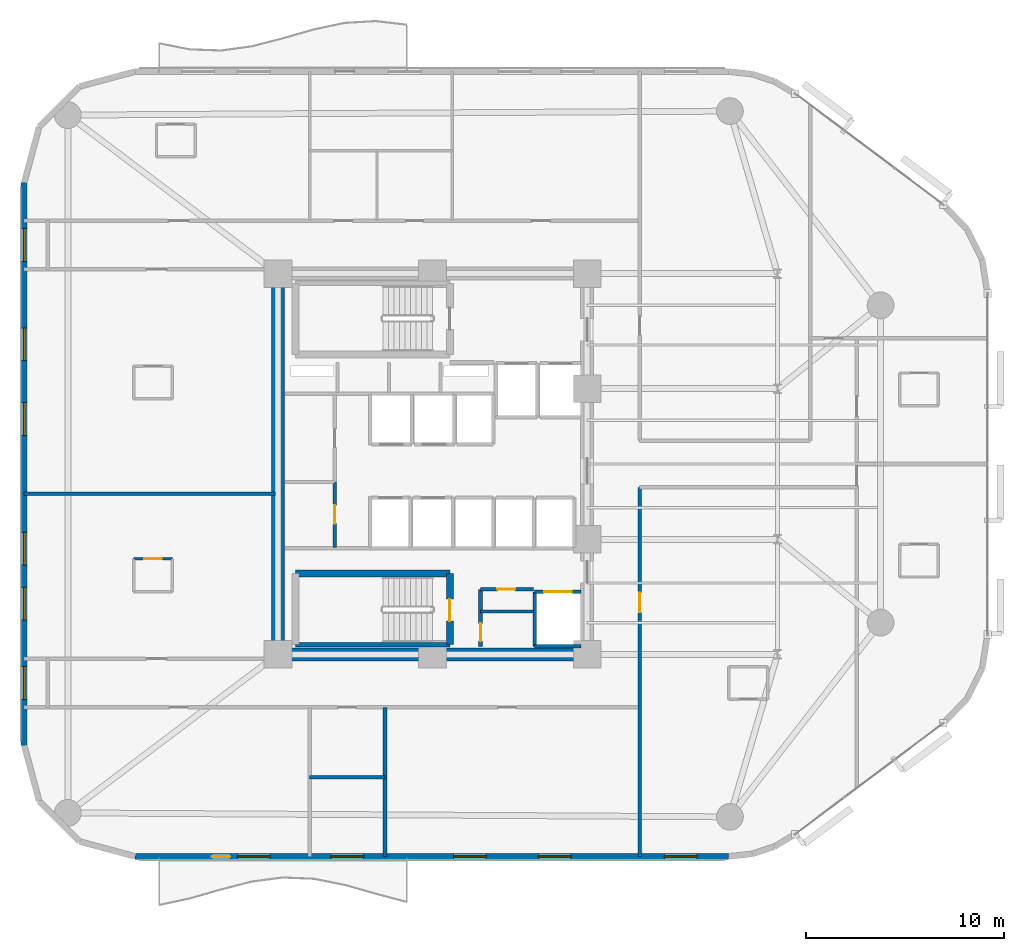
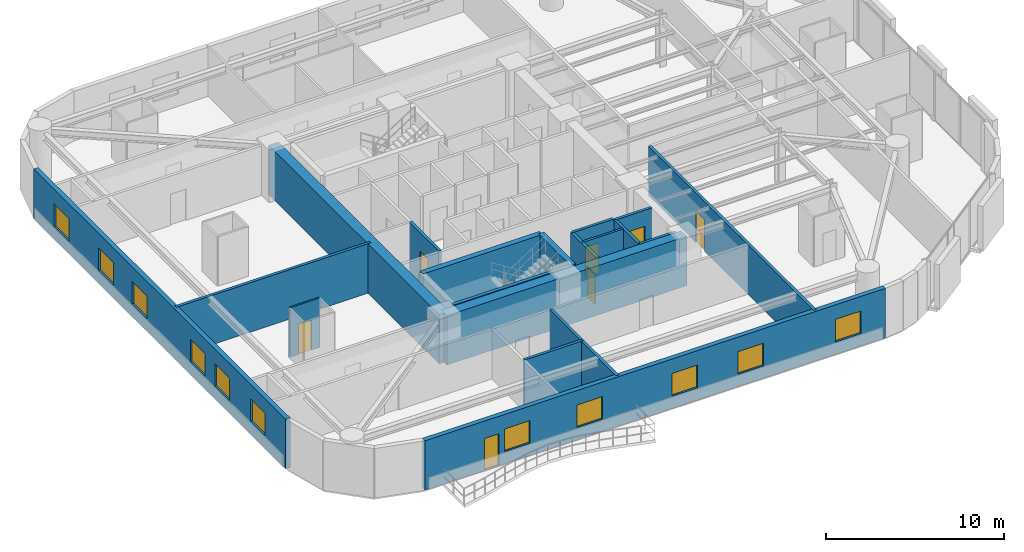
# One storey, part 10 of 16: 19 walls, 11 windows, 8 doors, 19 openings.
"""IFC4 building model written with IfcOpenShell, lengths in metres."""

from ifc_helpers import new_model, si_unit, direction, frame, frame_2d, origin, place, context, subcontext, project, spatial, rectangle, extrude, material, layer, layer_set, type_object, element, fill, save


model = new_model("IFC4")

# Units and contexts
model_context = context("Model", 3, precision=1e-05, world=origin(), true_north=direction((0.0, 1.0)))
body_context = subcontext(model_context, "Body", "Model", "MODEL_VIEW")
ifc_project = project(units=[si_unit("LENGTHUNIT", "METRE"), si_unit("AREAUNIT", "SQUARE_METRE"), si_unit("VOLUMEUNIT", "CUBIC_METRE"), si_unit("PLANEANGLEUNIT", "RADIAN"), si_unit("MASSUNIT", "GRAM", prefix="KILO")], contexts=[model_context])

# Site, building, storey
site_placement = place(None, origin())
site = spatial("IfcSite", under=ifc_project, at=site_placement, CompositionType="ELEMENT")
building_placement = place(site_placement, origin())
building = spatial("IfcBuilding", under=site, at=building_placement, Name="An Khanh Terracotta Commons", CompositionType="ELEMENT")
storey_placement = place(building_placement, frame((0.0, 0.0, 100.699951171875)))
storey = spatial("IfcBuildingStorey", under=building, at=storey_placement, Name="L26", CompositionType="ELEMENT", Elevation=100.699951171875)

# Walls
ifc_material_1 = material(Name="Concrete C60/75", Category="concrete")
ifc_layer_1 = layer(ifc_material_1, 0.64990234375, Name="Concrete C60/75")
ifc_layer_set_1 = layer_set([ifc_layer_1], Name="Concrete C60/75")
wall_type_1 = type_object("IfcWallType", Name="WALL-CORE-650", PredefinedType="SHEAR", material=ifc_layer_set_1)
wall_1_placement = place(storey_placement, frame((21.60009765625, 14.39990234375, 0.0), z_axis=(0.0, 0.0, 1.0), x_axis=(0.0, 1.0, 0.0)))
element("IfcWall", 1, at=wall_1_placement, inside=storey, type_object=wall_type_1, Name="L26 Core Wall CWALL-L26-W", PredefinedType="SHEAR", context=body_context, shape_type="SweptSolid", body=[
    extrude(rectangle(XDim=19.2001953125, YDim=0.64990234375, at=frame_2d((9.60009765625, 0.0))), origin(), (0.0, 0.0, 1.0), 3.400146484375),
])
wall_2_placement = place(storey_placement, frame((37.199951171875, 14.39990234375, 0.0), z_axis=(0.0, 0.0, 1.0), x_axis=(-1.0, 0.0, 0.0)))
element("IfcWall", 2, at=wall_2_placement, inside=storey, type_object=wall_type_1, Name="L26 Core Wall CWALL-L26-S", PredefinedType="SHEAR", context=body_context, shape_type="SweptSolid", body=[
    extrude(rectangle(XDim=15.599853515625, YDim=0.64990234375, at=frame_2d((7.7998046875, 0.0))), origin(), (0.0, 0.0, 1.0), 3.400146484375),
])

# Wall, opening, door
ifc_material_2 = material(Name="Fire-Rated Gypsum Board on Steel Stud", Category="steel")
ifc_layer_2 = layer(ifc_material_2, 0.179931640625, Name="Fire-Rated Gypsum Board on Steel Stud")
ifc_layer_set_2 = layer_set([ifc_layer_2], Name="Fire-Rated Gypsum Board on Steel Stud")
wall_type_2 = type_object("IfcWallType", Name="WALL-CORR-180", PredefinedType="PARTITIONING", material=ifc_layer_set_2)
wall_3_placement = place(storey_placement, frame((31.820068359375, 17.679931640625, 0.0), z_axis=(0.0, 0.0, 1.0), x_axis=(1.0, 0.0, 0.0)))
wall_3 = element("IfcWall", 3, at=wall_3_placement, inside=storey, type_object=wall_type_2, Name="L26 Core Wall SSVCW-L26-N", PredefinedType="PARTITIONING", context=body_context, shape_type="SweptSolid", body=[
    extrude(rectangle(XDim=2.659912109375, YDim=0.179931640625, at=frame_2d((1.330078125, 0.0))), origin(), (0.0, 0.0, 1.0), 3.400146484375),
])
opening_1_placement = place(wall_3_placement, frame((0.85009765625, 0.0, 0.0)))
opening_1 = element("IfcOpeningElement", 4, at=opening_1_placement, cuts=wall_3, Name="Opening D-SV", PredefinedType="OPENING", context=body_context, shape_type="SweptSolid", body=[
    extrude(rectangle(XDim=0.89990234375, YDim=2.050048828125, at=frame_2d((0.449951171875, 1.02490234375))), frame((0.0, 0.099853515625, 0.0), z_axis=(0.0, -1.0, 0.0), x_axis=(1.0, 0.0, 0.0)), (0.0, 0.0, 1.0), 0.199951171875),
])
ifc_material_3 = material(Name="Fire-Rated Powder-Coated Steel Door", Category="steel")
door_type_1 = type_object("IfcDoorType", Name="DOOR-SERV-900", OperationType="NOTDEFINED", PredefinedType="DOOR", material=ifc_material_3)
door_1_placement = place(opening_1_placement, origin())
door_1 = element("IfcDoor", 5, at=door_1_placement, inside=storey, type_object=door_type_1, Name="L26 Core Cleaner Store Door", OperationType="SINGLE_SWING_RIGHT", OverallHeight=2.050048828125, OverallWidth=0.89990234375, PredefinedType="DOOR", context=body_context, shape_type="SweptSolid", body=[
    extrude(rectangle(XDim=0.89990234375, YDim=2.050048828125, at=frame_2d((0.449951171875, 1.02490234375))), frame((0.0, 0.02490234375, 0.0), z_axis=(0.0, -1.0, 0.0), x_axis=(1.0, 0.0, 0.0)), (0.0, 0.0, 1.0), 0.050048828125),
])
fill(opening_1, door_1)

wall_4_placement = place(storey_placement, frame((31.820068359375, 14.800048828125, 0.0), z_axis=(0.0, 0.0, 1.0), x_axis=(0.0, 1.0, 0.0)))
wall_4 = element("IfcWall", 6, at=wall_4_placement, inside=storey, type_object=wall_type_2, Name="L26 Core Wall SSVCW-L26-W", PredefinedType="PARTITIONING", context=body_context, shape_type="SweptSolid", body=[
    extrude(rectangle(XDim=2.8798828125, YDim=0.179931640625, at=frame_2d((1.43994140625, 0.0))), origin(), (0.0, 0.0, 1.0), 3.400146484375),
])
opening_2_placement = place(wall_4_placement, frame((0.260009765625, 0.0, 0.0)))
opening_2 = element("IfcOpeningElement", 7, at=opening_2_placement, cuts=wall_4, Name="Opening D-SV", PredefinedType="OPENING", context=body_context, shape_type="SweptSolid", body=[
    extrude(rectangle(XDim=0.89990234375, YDim=2.050048828125, at=frame_2d((0.449951171875, 1.02490234375))), frame((0.0, 0.099853515625, 0.0), z_axis=(0.0, -1.0, 0.0), x_axis=(1.0, 0.0, 0.0)), (0.0, 0.0, 1.0), 0.199951171875),
])
door_2_placement = place(opening_2_placement, origin())
door_2 = element("IfcDoor", 8, at=door_2_placement, inside=storey, type_object=door_type_1, Name="L26 Telecoms BMS Cupboard Door", OperationType="SINGLE_SWING_LEFT", OverallHeight=2.050048828125, OverallWidth=0.89990234375, PredefinedType="DOOR", context=body_context, shape_type="SweptSolid", body=[
    extrude(rectangle(XDim=0.89990234375, YDim=2.050048828125, at=frame_2d((0.449951171875, 1.02490234375))), frame((0.0, 0.02490234375, 0.0), z_axis=(0.0, -1.0, 0.0), x_axis=(1.0, 0.0, 0.0)), (0.0, 0.0, 1.0), 0.050048828125),
])
fill(opening_2, door_2)

wall_5_placement = place(storey_placement, frame((34.550048828125, 17.550048828125, 0.0), z_axis=(0.0, 0.0, 1.0), x_axis=(1.0, 0.0, 0.0)))
wall_5 = element("IfcWall", 9, at=wall_5_placement, inside=storey, type_object=wall_type_2, Name="L26 Core Wall LSH-L26-SVL-01-N", PredefinedType="PARTITIONING", context=body_context, shape_type="SweptSolid", body=[
    extrude(rectangle(XDim=2.349853515625, YDim=0.179931640625, at=frame_2d((1.1748046875, 0.0))), origin(), (0.0, 0.0, 1.0), 3.400146484375),
])
opening_3_placement = place(wall_5_placement, frame((0.47509765625, 0.0, 0.0)))
opening_3 = element("IfcOpeningElement", 10, at=opening_3_placement, cuts=wall_5, Name="Opening LD-SVL-01-L26", PredefinedType="OPENING", context=body_context, shape_type="SweptSolid", body=[
    extrude(rectangle(XDim=1.39990234375, YDim=2.300048828125, at=frame_2d((0.699951171875, 1.14990234375))), frame((0.0, 0.099853515625, 0.0), z_axis=(0.0, -1.0, 0.0), x_axis=(1.0, 0.0, 0.0)), (0.0, 0.0, 1.0), 0.199951171875),
])
ifc_material_4 = material(Name="Heavy-Duty Stainless Steel Goods Landing Door", Category="steel")
door_type_2 = type_object("IfcDoorType", Name="DOOR-LD-SVL-1400", OperationType="NOTDEFINED", PredefinedType="DOOR", material=ifc_material_4)
door_3_placement = place(opening_3_placement, origin())
door_3 = element("IfcDoor", 11, at=door_3_placement, inside=storey, type_object=door_type_2, Name="L26 Lift SVL-01 Sliding Landing Door", OperationType="DOUBLE_DOOR_SLIDING", OverallHeight=2.300048828125, OverallWidth=1.39990234375, PredefinedType="DOOR", context=body_context, shape_type="SweptSolid", body=[
    extrude(rectangle(XDim=1.39990234375, YDim=2.300048828125, at=frame_2d((0.699951171875, 1.14990234375))), frame((0.0, 0.02490234375, 0.0), z_axis=(0.0, -1.0, 0.0), x_axis=(1.0, 0.0, 0.0)), (0.0, 0.0, 1.0), 0.050048828125),
])
fill(opening_3, door_3)

# Walls
wall_6_placement = place(storey_placement, frame((36.89990234375, 14.800048828125, 0.0), z_axis=(0.0, 0.0, 1.0), x_axis=(-1.0, 0.0, 0.0)))
element("IfcWall", 12, at=wall_6_placement, inside=storey, type_object=wall_type_2, Name="L26 Core Wall LSH-L26-SVL-01-S", PredefinedType="PARTITIONING", context=body_context, shape_type="SweptSolid", body=[
    extrude(rectangle(XDim=2.349853515625, YDim=0.179931640625, at=frame_2d((1.1748046875, 0.0))), origin(), (0.0, 0.0, 1.0), 3.400146484375),
])
wall_7_placement = place(storey_placement, frame((34.550048828125, 17.550048828125, 0.0), z_axis=(0.0, 0.0, 1.0), x_axis=(0.0, -1.0, 0.0)))
element("IfcWall", 13, at=wall_7_placement, inside=storey, type_object=wall_type_2, Name="L26 Core Wall LSH-L26-SVL-01-W", PredefinedType="PARTITIONING", context=body_context, shape_type="SweptSolid", body=[
    extrude(rectangle(XDim=2.75, YDim=0.179931640625, at=frame_2d((1.375, 0.0))), origin(), (0.0, 0.0, 1.0), 3.400146484375),
])

# Wall, opening, door
wall_8_placement = place(storey_placement, frame((24.4599609375, 19.800048828125, 0.0), z_axis=(0.0, 0.0, 1.0), x_axis=(0.0, 1.0, 0.0)))
wall_8 = element("IfcWall", 14, at=wall_8_placement, inside=storey, type_object=wall_type_2, Name="L26 Core Wall RECW-L26-E2", PredefinedType="PARTITIONING", context=body_context, shape_type="SweptSolid", body=[
    extrude(rectangle(XDim=3.300048828125, YDim=0.179931640625, at=frame_2d((1.64990234375, 0.0))), origin(), (0.0, 0.0, 1.0), 3.400146484375),
])
opening_4_placement = place(wall_8_placement, frame((1.18994140625, 0.0, 0.0)))
opening_4 = element("IfcOpeningElement", 15, at=opening_4_placement, cuts=wall_8, Name="Opening D-RM", PredefinedType="OPENING", context=body_context, shape_type="SweptSolid", body=[
    extrude(rectangle(XDim=0.919921875, YDim=2.10009765625, at=frame_2d((0.4599609375, 1.050048828125))), frame((0.0, 0.099853515625, 0.0), z_axis=(0.0, -1.0, 0.0), x_axis=(1.0, 0.0, 0.0)), (0.0, 0.0, 1.0), 0.199951171875),
])
ifc_material_5 = material(Name="Engineered Hardwood Timber Leaf", Category="wood")
door_type_3 = type_object("IfcDoorType", Name="DOOR-INT-920", OperationType="NOTDEFINED", PredefinedType="DOOR", material=ifc_material_5)
door_4_placement = place(opening_4_placement, origin())
door_4 = element("IfcDoor", 16, at=door_4_placement, inside=storey, type_object=door_type_3, Name="L26 Quiet Focus Booth Door", OperationType="SINGLE_SWING_LEFT", OverallHeight=2.10009765625, OverallWidth=0.919921875, PredefinedType="DOOR", context=body_context, shape_type="SweptSolid", body=[
    extrude(rectangle(XDim=0.919921875, YDim=2.10009765625, at=frame_2d((0.4599609375, 1.050048828125))), frame((0.0, 0.02490234375, 0.0), z_axis=(0.0, -1.0, 0.0), x_axis=(1.0, 0.0, 0.0)), (0.0, 0.0, 1.0), 0.050048828125),
])
fill(opening_4, door_4)

# Walls
wall_9_placement = place(storey_placement, frame((23.199951171875, 8.199951171875, 0.0), z_axis=(0.0, 0.0, 1.0), x_axis=(1.0, 0.0, 0.0)))
element("IfcWall", 17, at=wall_9_placement, inside=storey, type_object=wall_type_2, Name="L26 Interior Partition IW-L26-E001", PredefinedType="PARTITIONING", context=body_context, shape_type="SweptSolid", body=[
    extrude(rectangle(XDim=3.800048828125, YDim=0.179931640625, at=frame_2d((1.89990234375, 0.0))), origin(), (0.0, 0.0, 1.0), 3.400146484375),
])
wall_10_placement = place(storey_placement, frame((8.800048828125, 22.5, 0.0), z_axis=(0.0, 0.0, 1.0), x_axis=(1.0, 0.0, 0.0)))
element("IfcWall", 18, at=wall_10_placement, inside=storey, type_object=wall_type_2, Name="L26 Interior Partition IW-L26-E004", PredefinedType="PARTITIONING", context=body_context, shape_type="SweptSolid", body=[
    extrude(rectangle(XDim=12.679931640625, YDim=0.179931640625, at=frame_2d((6.33984375, 0.0))), origin(), (0.0, 0.0, 1.0), 3.400146484375),
])
wall_11_placement = place(storey_placement, frame((27.0, 4.199951171875, 0.0), z_axis=(0.0, 0.0, 1.0), x_axis=(0.0, 1.0, 0.0)))
element("IfcWall", 19, at=wall_11_placement, inside=storey, type_object=wall_type_2, Name="L26 Interior Partition IW-L26-E017", PredefinedType="PARTITIONING", context=body_context, shape_type="SweptSolid", body=[
    extrude(rectangle(XDim=7.52001953125, YDim=0.179931640625, at=frame_2d((3.760009765625, 0.0))), origin(), (0.0, 0.0, 1.0), 3.400146484375),
])

# Wall, opening, door
wall_12_placement = place(storey_placement, frame((39.85009765625, 4.199951171875, 0.0), z_axis=(0.0, 0.0, 1.0), x_axis=(0.0, 1.0, 0.0)))
wall_12 = element("IfcWall", 20, at=wall_12_placement, inside=storey, type_object=wall_type_2, Name="L26 Interior Partition IW-L26-E019", PredefinedType="PARTITIONING", context=body_context, shape_type="SweptSolid", body=[
    extrude(rectangle(XDim=18.6201171875, YDim=0.179931640625, at=frame_2d((9.31005859375, 0.0))), origin(), (0.0, 0.0, 1.0), 3.400146484375),
])
opening_5_placement = place(wall_12_placement, frame((12.31005859375, 0.0, 0.0)))
opening_5 = element("IfcOpeningElement", 21, at=opening_5_placement, cuts=wall_12, Name="Opening D-UN", PredefinedType="OPENING", context=body_context, shape_type="SweptSolid", body=[
    extrude(rectangle(XDim=1.0, YDim=2.14990234375, at=frame_2d((0.5, 1.074951171875))), frame((0.0, 0.099853515625, 0.0), z_axis=(0.0, -1.0, 0.0), x_axis=(1.0, 0.0, 0.0)), (0.0, 0.0, 1.0), 0.199951171875),
])
ifc_material_6 = material(Name="Solid-Core Hardwood Acoustic Fire Door", Category="wood")
door_type_4 = type_object("IfcDoorType", Name="DOOR-UNIT-1000", OperationType="NOTDEFINED", PredefinedType="DOOR", material=ifc_material_6)
door_5_placement = place(opening_5_placement, origin())
door_5 = element("IfcDoor", 22, at=door_5_placement, inside=storey, type_object=door_type_4, Name="L26 ZW2 Kitchenette and Studio Apartment Door", OperationType="SINGLE_SWING_RIGHT", OverallHeight=2.14990234375, OverallWidth=1.0, PredefinedType="DOOR", context=body_context, shape_type="SweptSolid", body=[
    extrude(rectangle(XDim=1.0, YDim=2.14990234375, at=frame_2d((0.5, 1.074951171875))), frame((0.0, 0.02490234375, 0.0), z_axis=(0.0, -1.0, 0.0), x_axis=(1.0, 0.0, 0.0)), (0.0, 0.0, 1.0), 0.050048828125),
])
fill(opening_5, door_5)

# Wall, openings, door, windows
ifc_material_7 = material(Name="Precast concrete C40/50", Category="concrete")
ifc_layer_3 = layer(ifc_material_7, 0.300048828125, Name="Precast concrete C40/50")
ifc_layer_set_3 = layer_set([ifc_layer_3], Name="Precast concrete C40/50")
wall_type_3 = type_object("IfcWallType", Name="WALL-EXT-300", PredefinedType="SOLIDWALL", material=ifc_layer_set_3)
wall_13_placement = place(storey_placement, frame((14.39990234375, 4.199951171875, 0.0), z_axis=(0.0, 0.0, 1.0), x_axis=(1.0, 0.0, 0.0)))
wall_13 = element("IfcWall", 23, at=wall_13_placement, inside=storey, type_object=wall_type_3, Name="L26 Insulated Terracotta Exterior Wall 4", PredefinedType="SOLIDWALL", context=body_context, shape_type="SweptSolid", body=[
    extrude(rectangle(XDim=29.93310546875, YDim=0.300048828125, at=frame_2d((14.966552734375, 0.0))), origin(), (0.0, 0.0, 1.0), 3.400146484375),
])
opening_6_placement = place(wall_13_placement, frame((3.85009765625, 0.0, 0.0)))
opening_6 = element("IfcOpeningElement", 24, at=opening_6_placement, cuts=wall_13, Name="Opening D-BAL", PredefinedType="OPENING", context=body_context, shape_type="SweptSolid", body=[
    extrude(rectangle(XDim=0.949951171875, YDim=2.199951171875, at=frame_2d((0.47509765625, 1.10009765625))), frame((0.0, 0.159912109375, 0.0), z_axis=(0.0, -1.0, 0.0), x_axis=(1.0, 0.0, 0.0)), (0.0, 0.0, 1.0), 0.320068359375),
])
opening_7_placement = place(wall_13_placement, frame((5.157958984375, 0.0, 0.85009765625)))
opening_7 = element("IfcOpeningElement", 25, at=opening_7_placement, cuts=wall_13, Name="Opening W-02", PredefinedType="OPENING", context=body_context, shape_type="SweptSolid", body=[
    extrude(rectangle(XDim=1.64990234375, YDim=1.550048828125, at=frame_2d((0.824951171875, 0.77490234375))), frame((0.0, 0.159912109375, 0.0), z_axis=(0.0, -1.0, 0.0), x_axis=(1.0, 0.0, 0.0)), (0.0, 0.0, 1.0), 0.320068359375),
])
opening_8_placement = place(wall_13_placement, frame((9.875, 0.0, 0.85009765625)))
opening_8 = element("IfcOpeningElement", 26, at=opening_8_placement, cuts=wall_13, Name="Opening W-02", PredefinedType="OPENING", context=body_context, shape_type="SweptSolid", body=[
    extrude(rectangle(XDim=1.64990234375, YDim=1.550048828125, at=frame_2d((0.824951171875, 0.77490234375))), frame((0.0, 0.159912109375, 0.0), z_axis=(0.0, -1.0, 0.0), x_axis=(1.0, 0.0, 0.0)), (0.0, 0.0, 1.0), 0.320068359375),
])
opening_9_placement = place(wall_13_placement, frame((16.05810546875, 0.0, 0.85009765625)))
opening_9 = element("IfcOpeningElement", 27, at=opening_9_placement, cuts=wall_13, Name="Opening W-02", PredefinedType="OPENING", context=body_context, shape_type="SweptSolid", body=[
    extrude(rectangle(XDim=1.64990234375, YDim=1.550048828125, at=frame_2d((0.824951171875, 0.77490234375))), frame((0.0, 0.159912109375, 0.0), z_axis=(0.0, -1.0, 0.0), x_axis=(1.0, 0.0, 0.0)), (0.0, 0.0, 1.0), 0.320068359375),
])
opening_10_placement = place(wall_13_placement, frame((20.342041015625, 0.0, 0.85009765625)))
opening_10 = element("IfcOpeningElement", 28, at=opening_10_placement, cuts=wall_13, Name="Opening W-02", PredefinedType="OPENING", context=body_context, shape_type="SweptSolid", body=[
    extrude(rectangle(XDim=1.64990234375, YDim=1.550048828125, at=frame_2d((0.824951171875, 0.77490234375))), frame((0.0, 0.159912109375, 0.0), z_axis=(0.0, -1.0, 0.0), x_axis=(1.0, 0.0, 0.0)), (0.0, 0.0, 1.0), 0.320068359375),
])
opening_11_placement = place(wall_13_placement, frame((26.69189453125, 0.0, 0.85009765625)))
opening_11 = element("IfcOpeningElement", 29, at=opening_11_placement, cuts=wall_13, Name="Opening W-02", PredefinedType="OPENING", context=body_context, shape_type="SweptSolid", body=[
    extrude(rectangle(XDim=1.64990234375, YDim=1.550048828125, at=frame_2d((0.824951171875, 0.77490234375))), frame((0.0, 0.159912109375, 0.0), z_axis=(0.0, -1.0, 0.0), x_axis=(1.0, 0.0, 0.0)), (0.0, 0.0, 1.0), 0.320068359375),
])
ifc_material_8 = material(Name="Thermally Broken Aluminium and Low-E Glass", Category="aluminium")
door_type_5 = type_object("IfcDoorType", Name="DOOR-BALC-950", OperationType="NOTDEFINED", PredefinedType="DOOR", material=ifc_material_8)
door_6_placement = place(opening_6_placement, origin())
door_6 = element("IfcDoor", 30, at=door_6_placement, inside=storey, type_object=door_type_5, Name="L26 S Wave Balcony Glazed Door", OperationType="SINGLE_SWING_LEFT", OverallHeight=2.199951171875, OverallWidth=0.949951171875, PredefinedType="DOOR", context=body_context, shape_type="SweptSolid", body=[
    extrude(rectangle(XDim=0.949951171875, YDim=2.199951171875, at=frame_2d((0.47509765625, 1.10009765625))), frame((0.0, 0.02490234375, 0.0), z_axis=(0.0, -1.0, 0.0), x_axis=(1.0, 0.0, 0.0)), (0.0, 0.0, 1.0), 0.050048828125),
])
fill(opening_6, door_6)
window_type = type_object("IfcWindowType", Name="WIN-Z2-1650x1550", PartitioningType="DOUBLE_PANEL_VERTICAL", PredefinedType="WINDOW", material=ifc_material_8)
window_1_placement = place(opening_7_placement, origin())
window_1 = element("IfcWindow", 31, at=window_1_placement, inside=storey, type_object=window_type, Name="L26 Operable Casement Window 4.1", OverallHeight=1.550048828125, OverallWidth=1.64990234375, PartitioningType="DOUBLE_PANEL_VERTICAL", PredefinedType="WINDOW", context=body_context, shape_type="SweptSolid", body=[
    extrude(rectangle(XDim=1.64990234375, YDim=1.550048828125, at=frame_2d((0.824951171875, 0.77490234375))), frame((0.0, 0.030029296875, 0.0), z_axis=(0.0, -1.0, 0.0), x_axis=(1.0, 0.0, 0.0)), (0.0, 0.0, 1.0), 0.06005859375),
])
fill(opening_7, window_1)
window_2_placement = place(opening_8_placement, origin())
window_2 = element("IfcWindow", 32, at=window_2_placement, inside=storey, type_object=window_type, Name="L26 Operable Casement Window 4.2", OverallHeight=1.550048828125, OverallWidth=1.64990234375, PartitioningType="DOUBLE_PANEL_VERTICAL", PredefinedType="WINDOW", context=body_context, shape_type="SweptSolid", body=[
    extrude(rectangle(XDim=1.64990234375, YDim=1.550048828125, at=frame_2d((0.824951171875, 0.77490234375))), frame((0.0, 0.030029296875, 0.0), z_axis=(0.0, -1.0, 0.0), x_axis=(1.0, 0.0, 0.0)), (0.0, 0.0, 1.0), 0.06005859375),
])
fill(opening_8, window_2)
window_3_placement = place(opening_9_placement, origin())
window_3 = element("IfcWindow", 33, at=window_3_placement, inside=storey, type_object=window_type, Name="L26 Operable Casement Window 4.3", OverallHeight=1.550048828125, OverallWidth=1.64990234375, PartitioningType="DOUBLE_PANEL_VERTICAL", PredefinedType="WINDOW", context=body_context, shape_type="SweptSolid", body=[
    extrude(rectangle(XDim=1.64990234375, YDim=1.550048828125, at=frame_2d((0.824951171875, 0.77490234375))), frame((0.0, 0.030029296875, 0.0), z_axis=(0.0, -1.0, 0.0), x_axis=(1.0, 0.0, 0.0)), (0.0, 0.0, 1.0), 0.06005859375),
])
fill(opening_9, window_3)
window_4_placement = place(opening_10_placement, origin())
window_4 = element("IfcWindow", 34, at=window_4_placement, inside=storey, type_object=window_type, Name="L26 Operable Casement Window 4.4", OverallHeight=1.550048828125, OverallWidth=1.64990234375, PartitioningType="DOUBLE_PANEL_VERTICAL", PredefinedType="WINDOW", context=body_context, shape_type="SweptSolid", body=[
    extrude(rectangle(XDim=1.64990234375, YDim=1.550048828125, at=frame_2d((0.824951171875, 0.77490234375))), frame((0.0, 0.030029296875, 0.0), z_axis=(0.0, -1.0, 0.0), x_axis=(1.0, 0.0, 0.0)), (0.0, 0.0, 1.0), 0.06005859375),
])
fill(opening_10, window_4)
window_5_placement = place(opening_11_placement, origin())
window_5 = element("IfcWindow", 35, at=window_5_placement, inside=storey, type_object=window_type, Name="L26 Operable Casement Window 4.5", OverallHeight=1.550048828125, OverallWidth=1.64990234375, PartitioningType="DOUBLE_PANEL_VERTICAL", PredefinedType="WINDOW", context=body_context, shape_type="SweptSolid", body=[
    extrude(rectangle(XDim=1.64990234375, YDim=1.550048828125, at=frame_2d((0.824951171875, 0.77490234375))), frame((0.0, 0.030029296875, 0.0), z_axis=(0.0, -1.0, 0.0), x_axis=(1.0, 0.0, 0.0)), (0.0, 0.0, 1.0), 0.06005859375),
])
fill(opening_11, window_5)

# Wall, openings, windows
wall_14_placement = place(storey_placement, frame((8.800048828125, 38.199951171875, 0.0), z_axis=(0.0, 0.0, 1.0), x_axis=(0.0, -1.0, 0.0)))
wall_14 = element("IfcWall", 36, at=wall_14_placement, inside=storey, type_object=wall_type_3, Name="L26 Insulated Terracotta Exterior Wall 24", PredefinedType="SOLIDWALL", context=body_context, shape_type="SweptSolid", body=[
    extrude(rectangle(XDim=28.39990234375, YDim=0.300048828125, at=frame_2d((14.199951171875, 0.0))), origin(), (0.0, 0.0, 1.0), 3.400146484375),
])
opening_12_placement = place(wall_14_placement, frame((2.324951171875, 0.0, 0.85009765625)))
opening_12 = element("IfcOpeningElement", 37, at=opening_12_placement, cuts=wall_14, Name="Opening W-02", PredefinedType="OPENING", context=body_context, shape_type="SweptSolid", body=[
    extrude(rectangle(XDim=1.64990234375, YDim=1.550048828125, at=frame_2d((0.824951171875, 0.77490234375))), frame((0.0, 0.159912109375, 0.0), z_axis=(0.0, -1.0, 0.0), x_axis=(1.0, 0.0, 0.0)), (0.0, 0.0, 1.0), 0.320068359375),
])
opening_13_placement = place(wall_14_placement, frame((7.327880859375, 0.0, 0.85009765625)))
opening_13 = element("IfcOpeningElement", 38, at=opening_13_placement, cuts=wall_14, Name="Opening W-02", PredefinedType="OPENING", context=body_context, shape_type="SweptSolid", body=[
    extrude(rectangle(XDim=1.64990234375, YDim=1.550048828125, at=frame_2d((0.824951171875, 0.77490234375))), frame((0.0, 0.159912109375, 0.0), z_axis=(0.0, -1.0, 0.0), x_axis=(1.0, 0.0, 0.0)), (0.0, 0.0, 1.0), 0.320068359375),
])
opening_14_placement = place(wall_14_placement, frame((11.10205078125, 0.0, 0.85009765625)))
opening_14 = element("IfcOpeningElement", 39, at=opening_14_placement, cuts=wall_14, Name="Opening W-02", PredefinedType="OPENING", context=body_context, shape_type="SweptSolid", body=[
    extrude(rectangle(XDim=1.64990234375, YDim=1.550048828125, at=frame_2d((0.824951171875, 0.77490234375))), frame((0.0, 0.159912109375, 0.0), z_axis=(0.0, -1.0, 0.0), x_axis=(1.0, 0.0, 0.0)), (0.0, 0.0, 1.0), 0.320068359375),
])
opening_15_placement = place(wall_14_placement, frame((17.64794921875, 0.0, 0.85009765625)))
opening_15 = element("IfcOpeningElement", 40, at=opening_15_placement, cuts=wall_14, Name="Opening W-02", PredefinedType="OPENING", context=body_context, shape_type="SweptSolid", body=[
    extrude(rectangle(XDim=1.64990234375, YDim=1.550048828125, at=frame_2d((0.824951171875, 0.77490234375))), frame((0.0, 0.159912109375, 0.0), z_axis=(0.0, -1.0, 0.0), x_axis=(1.0, 0.0, 0.0)), (0.0, 0.0, 1.0), 0.320068359375),
])
opening_16_placement = place(wall_14_placement, frame((20.422119140625, 0.0, 0.85009765625)))
opening_16 = element("IfcOpeningElement", 41, at=opening_16_placement, cuts=wall_14, Name="Opening W-02", PredefinedType="OPENING", context=body_context, shape_type="SweptSolid", body=[
    extrude(rectangle(XDim=1.64990234375, YDim=1.550048828125, at=frame_2d((0.824951171875, 0.77490234375))), frame((0.0, 0.159912109375, 0.0), z_axis=(0.0, -1.0, 0.0), x_axis=(1.0, 0.0, 0.0)), (0.0, 0.0, 1.0), 0.320068359375),
])
opening_17_placement = place(wall_14_placement, frame((24.425048828125, 0.0, 0.85009765625)))
opening_17 = element("IfcOpeningElement", 42, at=opening_17_placement, cuts=wall_14, Name="Opening W-02", PredefinedType="OPENING", context=body_context, shape_type="SweptSolid", body=[
    extrude(rectangle(XDim=1.64990234375, YDim=1.550048828125, at=frame_2d((0.824951171875, 0.77490234375))), frame((0.0, 0.159912109375, 0.0), z_axis=(0.0, -1.0, 0.0), x_axis=(1.0, 0.0, 0.0)), (0.0, 0.0, 1.0), 0.320068359375),
])
window_6_placement = place(opening_12_placement, origin())
window_6 = element("IfcWindow", 43, at=window_6_placement, inside=storey, type_object=window_type, Name="L26 Operable Casement Window 24.1", OverallHeight=1.550048828125, OverallWidth=1.64990234375, PartitioningType="DOUBLE_PANEL_VERTICAL", PredefinedType="WINDOW", context=body_context, shape_type="SweptSolid", body=[
    extrude(rectangle(XDim=1.64990234375, YDim=1.550048828125, at=frame_2d((0.824951171875, 0.77490234375))), frame((0.0, 0.030029296875, 0.0), z_axis=(0.0, -1.0, 0.0), x_axis=(1.0, 0.0, 0.0)), (0.0, 0.0, 1.0), 0.06005859375),
])
fill(opening_12, window_6)
window_7_placement = place(opening_13_placement, origin())
window_7 = element("IfcWindow", 44, at=window_7_placement, inside=storey, type_object=window_type, Name="L26 Operable Casement Window 24.2", OverallHeight=1.550048828125, OverallWidth=1.64990234375, PartitioningType="DOUBLE_PANEL_VERTICAL", PredefinedType="WINDOW", context=body_context, shape_type="SweptSolid", body=[
    extrude(rectangle(XDim=1.64990234375, YDim=1.550048828125, at=frame_2d((0.824951171875, 0.77490234375))), frame((0.0, 0.030029296875, 0.0), z_axis=(0.0, -1.0, 0.0), x_axis=(1.0, 0.0, 0.0)), (0.0, 0.0, 1.0), 0.06005859375),
])
fill(opening_13, window_7)
window_8_placement = place(opening_14_placement, origin())
window_8 = element("IfcWindow", 45, at=window_8_placement, inside=storey, type_object=window_type, Name="L26 Operable Casement Window 24.3", OverallHeight=1.550048828125, OverallWidth=1.64990234375, PartitioningType="DOUBLE_PANEL_VERTICAL", PredefinedType="WINDOW", context=body_context, shape_type="SweptSolid", body=[
    extrude(rectangle(XDim=1.64990234375, YDim=1.550048828125, at=frame_2d((0.824951171875, 0.77490234375))), frame((0.0, 0.030029296875, 0.0), z_axis=(0.0, -1.0, 0.0), x_axis=(1.0, 0.0, 0.0)), (0.0, 0.0, 1.0), 0.06005859375),
])
fill(opening_14, window_8)
window_9_placement = place(opening_15_placement, origin())
window_9 = element("IfcWindow", 46, at=window_9_placement, inside=storey, type_object=window_type, Name="L26 Operable Casement Window 24.4", OverallHeight=1.550048828125, OverallWidth=1.64990234375, PartitioningType="DOUBLE_PANEL_VERTICAL", PredefinedType="WINDOW", context=body_context, shape_type="SweptSolid", body=[
    extrude(rectangle(XDim=1.64990234375, YDim=1.550048828125, at=frame_2d((0.824951171875, 0.77490234375))), frame((0.0, 0.030029296875, 0.0), z_axis=(0.0, -1.0, 0.0), x_axis=(1.0, 0.0, 0.0)), (0.0, 0.0, 1.0), 0.06005859375),
])
fill(opening_15, window_9)
window_10_placement = place(opening_16_placement, origin())
window_10 = element("IfcWindow", 47, at=window_10_placement, inside=storey, type_object=window_type, Name="L26 Operable Casement Window 24.5", OverallHeight=1.550048828125, OverallWidth=1.64990234375, PartitioningType="DOUBLE_PANEL_VERTICAL", PredefinedType="WINDOW", context=body_context, shape_type="SweptSolid", body=[
    extrude(rectangle(XDim=1.64990234375, YDim=1.550048828125, at=frame_2d((0.824951171875, 0.77490234375))), frame((0.0, 0.030029296875, 0.0), z_axis=(0.0, -1.0, 0.0), x_axis=(1.0, 0.0, 0.0)), (0.0, 0.0, 1.0), 0.06005859375),
])
fill(opening_16, window_10)
window_11_placement = place(opening_17_placement, origin())
window_11 = element("IfcWindow", 48, at=window_11_placement, inside=storey, type_object=window_type, Name="L26 Operable Casement Window 24.6", OverallHeight=1.550048828125, OverallWidth=1.64990234375, PartitioningType="DOUBLE_PANEL_VERTICAL", PredefinedType="WINDOW", context=body_context, shape_type="SweptSolid", body=[
    extrude(rectangle(XDim=1.64990234375, YDim=1.550048828125, at=frame_2d((0.824951171875, 0.77490234375))), frame((0.0, 0.030029296875, 0.0), z_axis=(0.0, -1.0, 0.0), x_axis=(1.0, 0.0, 0.0)), (0.0, 0.0, 1.0), 0.06005859375),
])
fill(opening_17, window_11)

# Walls
ifc_material_9 = material(Name="Acoustic Gypsum Board Partition")
ifc_layer_4 = layer(ifc_material_9, 0.14990234375, Name="Acoustic Gypsum Board Partition")
ifc_layer_set_4 = layer_set([ifc_layer_4], Name="Acoustic Gypsum Board Partition")
wall_type_4 = type_object("IfcWallType", Name="WALL-PART-150", PredefinedType="PARTITIONING", material=ifc_layer_set_4)
wall_15_placement = place(storey_placement, frame((31.820068359375, 16.550048828125, 0.0), z_axis=(0.0, 0.0, 1.0), x_axis=(1.0, 0.0, 0.0)))
element("IfcWall", 49, at=wall_15_placement, inside=storey, type_object=wall_type_4, Name="L26 Core Wall SSVCW-L26-M", PredefinedType="PARTITIONING", context=body_context, shape_type="SweptSolid", body=[
    extrude(rectangle(XDim=2.659912109375, YDim=0.14990234375, at=frame_2d((1.330078125, 0.0))), origin(), (0.0, 0.0, 1.0), 3.400146484375),
])
ifc_material_10 = material(Name="Acoustic Double-Stud Gypsum and Mineral Wool")
ifc_layer_5 = layer(ifc_material_10, 0.219970703125, Name="Acoustic Double-Stud Gypsum and Mineral Wool")
ifc_layer_set_5 = layer_set([ifc_layer_5], Name="Acoustic Double-Stud Gypsum and Mineral Wool")
wall_type_5 = type_object("IfcWallType", Name="WALL-PARTY-220", PredefinedType="PARTITIONING", material=ifc_layer_set_5)
wall_16_placement = place(storey_placement, frame((22.47998046875, 14.889892578125, 0.0), z_axis=(0.0, 0.0, 1.0), x_axis=(1.0, 0.0, 0.0)))
element("IfcWall", 50, at=wall_16_placement, inside=storey, type_object=wall_type_5, Name="L26 Core Wall STW-L26-S-S", PredefinedType="PARTITIONING", context=body_context, shape_type="SweptSolid", body=[
    extrude(rectangle(XDim=7.7900390625, YDim=0.219970703125, at=frame_2d((3.89501953125, 0.0))), origin(), (0.0, 0.0, 1.0), 3.400146484375),
])
ifc_material_11 = material(Name="Concrete C50/60", Category="concrete")
ifc_layer_6 = layer(ifc_material_11, 0.35009765625, Name="Concrete C50/60")
ifc_layer_set_6 = layer_set([ifc_layer_6], Name="Concrete C50/60")
wall_type_6 = type_object("IfcWallType", Name="WALL-SHAFT-350", PredefinedType="SOLIDWALL", material=ifc_layer_set_6)
wall_17_placement = place(storey_placement, frame((22.47998046875, 18.469970703125, 0.0), z_axis=(0.0, 0.0, 1.0), x_axis=(1.0, 0.0, 0.0)))
element("IfcWall", 51, at=wall_17_placement, inside=storey, type_object=wall_type_6, Name="L26 Core Wall STW-L26-S-N", PredefinedType="SOLIDWALL", context=body_context, shape_type="SweptSolid", body=[
    extrude(rectangle(XDim=7.7900390625, YDim=0.35009765625, at=frame_2d((3.89501953125, 0.0))), origin(), (0.0, 0.0, 1.0), 3.400146484375),
])

# Wall, opening, door
wall_18_placement = place(storey_placement, frame((30.27001953125, 14.889892578125, 0.0), z_axis=(0.0, 0.0, 1.0), x_axis=(0.0, 1.0, 0.0)))
wall_18 = element("IfcWall", 52, at=wall_18_placement, inside=storey, type_object=wall_type_6, Name="L26 Core Wall STW-L26-S-E", PredefinedType="SOLIDWALL", context=body_context, shape_type="SweptSolid", body=[
    extrude(rectangle(XDim=3.580078125, YDim=0.35009765625, at=frame_2d((1.7900390625, 0.0))), origin(), (0.0, 0.0, 1.0), 3.400146484375),
])
opening_18_placement = place(wall_18_placement, frame((1.18994140625, 0.0, 0.0)))
opening_18 = element("IfcOpeningElement", 53, at=opening_18_placement, cuts=wall_18, Name="Opening D-ST", PredefinedType="OPENING", context=body_context, shape_type="SweptSolid", body=[
    extrude(rectangle(XDim=1.10009765625, YDim=2.14990234375, at=frame_2d((0.550048828125, 1.074951171875))), frame((0.0, 0.18505859375, 0.0), z_axis=(0.0, -1.0, 0.0), x_axis=(1.0, 0.0, 0.0)), (0.0, 0.0, 1.0), 0.3701171875),
])
ifc_material_12 = material(Name="Fire-Rated Steel Leaf and Frame", Category="steel")
door_type_6 = type_object("IfcDoorType", Name="DOOR-STAIR-1100", OperationType="NOTDEFINED", PredefinedType="DOOR", material=ifc_material_12)
door_7_placement = place(opening_18_placement, origin())
door_7 = element("IfcDoor", 54, at=door_7_placement, inside=storey, type_object=door_type_6, Name="L26 Stair ST-02 Fire Door", OperationType="SINGLE_SWING_LEFT", OverallHeight=2.14990234375, OverallWidth=1.10009765625, PredefinedType="DOOR", context=body_context, shape_type="SweptSolid", body=[
    extrude(rectangle(XDim=1.10009765625, YDim=2.14990234375, at=frame_2d((0.550048828125, 1.074951171875))), frame((0.0, 0.02490234375, 0.0), z_axis=(0.0, -1.0, 0.0), x_axis=(1.0, 0.0, 0.0)), (0.0, 0.0, 1.0), 0.050048828125),
])
fill(opening_18, door_7)

ifc_material_13 = material(Name="Moisture-Resistant Cement Board Partition")
ifc_layer_7 = layer(ifc_material_13, 0.1201171875, Name="Moisture-Resistant Cement Board Partition")
ifc_layer_set_7 = layer_set([ifc_layer_7], Name="Moisture-Resistant Cement Board Partition")
wall_type_7 = type_object("IfcWallType", Name="WALL-WET-120", PredefinedType="PARTITIONING", material=ifc_layer_set_7)
wall_19_placement = place(storey_placement, frame((14.324951171875, 19.215087890625, 0.0), z_axis=(0.0, 0.0, 1.0), x_axis=(1.0, 0.0, 0.0)))
wall_19 = element("IfcWall", 55, at=wall_19_placement, inside=storey, type_object=wall_type_7, Name="L26 Interior Partition IW-L26-WW1-BN", PredefinedType="PARTITIONING", context=body_context, shape_type="SweptSolid", body=[
    extrude(rectangle(XDim=1.949951171875, YDim=0.1201171875, at=frame_2d((0.97509765625, 0.0))), origin(), (0.0, 0.0, 1.0), 3.400146484375),
])
opening_19_placement = place(wall_19_placement, frame((0.544921875, 0.0, 0.0)))
opening_19 = element("IfcOpeningElement", 56, at=opening_19_placement, cuts=wall_19, Name="Opening D-ENS", PredefinedType="OPENING", context=body_context, shape_type="SweptSolid", body=[
    extrude(rectangle(XDim=0.860107421875, YDim=2.10009765625, at=frame_2d((0.43017578125, 1.050048828125))), frame((0.0, 0.070068359375, 0.0), z_axis=(0.0, -1.0, 0.0), x_axis=(1.0, 0.0, 0.0)), (0.0, 0.0, 1.0), 0.14013671875),
])
ifc_material_14 = material(Name="Moisture-Resistant Hardwood Timber Leaf", Category="wood")
door_type_7 = type_object("IfcDoorType", Name="DOOR-BATH-860", OperationType="NOTDEFINED", PredefinedType="DOOR", material=ifc_material_14)
door_8_placement = place(opening_19_placement, origin())
door_8 = element("IfcDoor", 57, at=door_8_placement, inside=storey, type_object=door_type_7, Name="L26 Studio WW1 En-suite Door", OperationType="SINGLE_SWING_RIGHT", OverallHeight=2.10009765625, OverallWidth=0.860107421875, PredefinedType="DOOR", context=body_context, shape_type="SweptSolid", body=[
    extrude(rectangle(XDim=0.860107421875, YDim=2.10009765625, at=frame_2d((0.43017578125, 1.050048828125))), frame((0.0, 0.02490234375, 0.0), z_axis=(0.0, -1.0, 0.0), x_axis=(1.0, 0.0, 0.0)), (0.0, 0.0, 1.0), 0.050048828125),
])
fill(opening_19, door_8)

save(model, "model.ifc")
